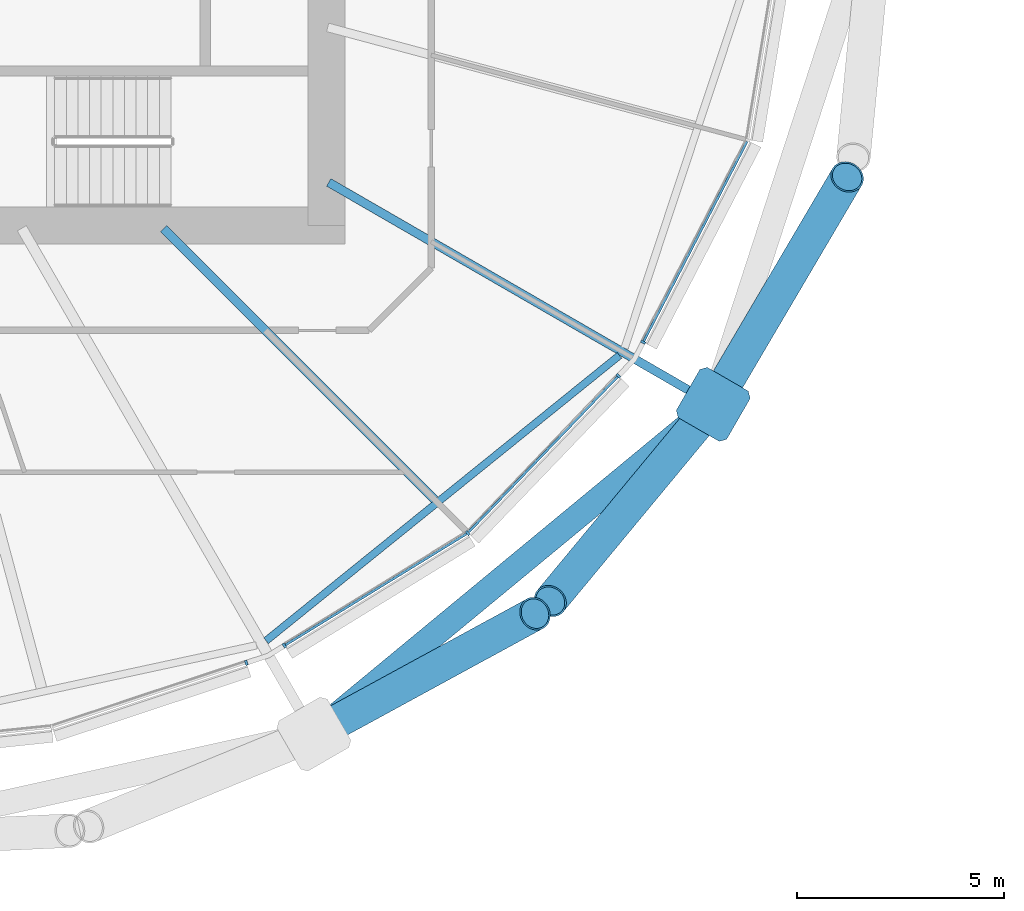
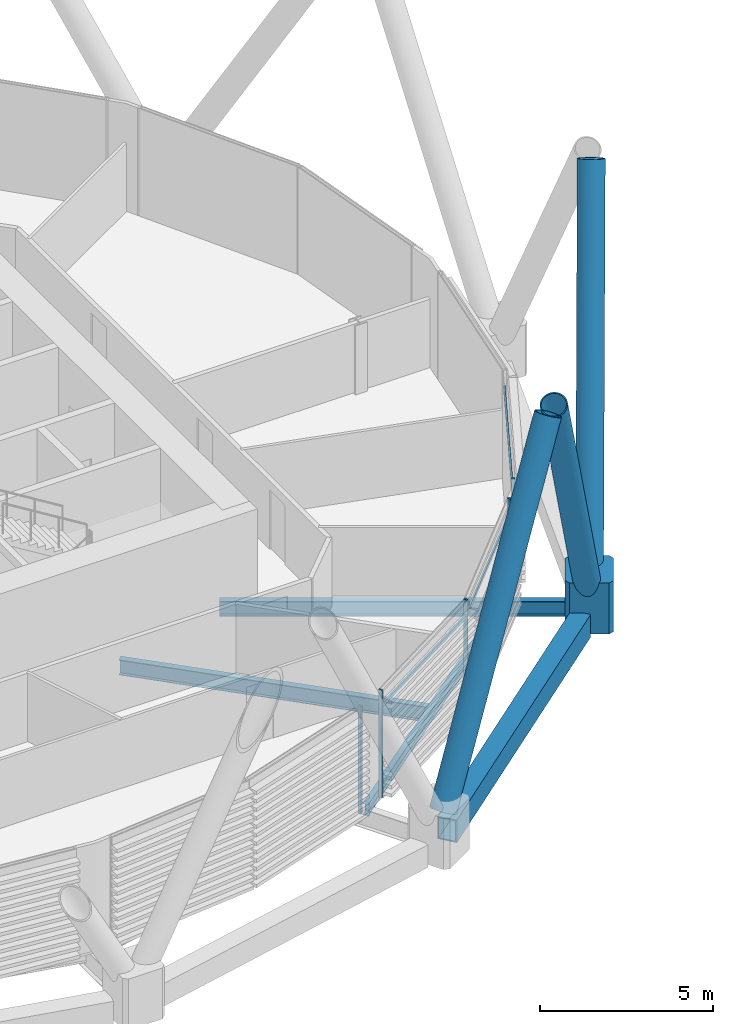
# One storey, part 7 of 40: 12 members, 4 beams, 1 element without a shape of its own.
"""IFC4 building model written with IfcOpenShell, lengths in metres."""

from ifc_helpers import new_model, si_unit, direction, frame, origin, origin_2d, place, context, subcontext, project, spatial, polyline, rectangle, hollow_rectangle, hollow_circle, i_section, outline, extrude, material, material_profile, profile_set, type_object, element, aggregate, save


model = new_model("IFC4")

# Units and contexts
model_context = context("Model", 3, precision=1e-05, world=origin(), true_north=direction((0.0, 1.0)))
body_context = subcontext(model_context, "Body", "Model", "MODEL_VIEW")
ifc_project = project(units=[si_unit("LENGTHUNIT", "METRE"), si_unit("AREAUNIT", "SQUARE_METRE"), si_unit("VOLUMEUNIT", "CUBIC_METRE"), si_unit("PLANEANGLEUNIT", "RADIAN"), si_unit("MASSUNIT", "GRAM", prefix="KILO")], contexts=[model_context])

# Site, building, storey
site_placement = place(None, origin())
site = spatial("IfcSite", under=ifc_project, at=site_placement, CompositionType="ELEMENT")
building_placement = place(site_placement, origin())
building = spatial("IfcBuilding", under=site, at=building_placement, Name="Rimbun Link Towers", CompositionType="ELEMENT")
storey_placement = place(building_placement, frame((0.0, 0.0, 52.800048828125)))
storey = spatial("IfcBuildingStorey", under=building, at=storey_placement, Name="L12", CompositionType="ELEMENT", Elevation=52.800048828125)

# Curtain wall, members
ifc_material_1 = material(Name="Aluminium 6063-T6 and low-iron glass", Category="aluminium")
curtain_wall_type = type_object("IfcCurtainWallType", Name="CW1 unitised vision wall", PredefinedType="NOTDEFINED", material=ifc_material_1)
curtain_wall_placement = place(storey_placement, origin())
curtain_wall = element("IfcCurtainWall", 1, at=curtain_wall_placement, inside=storey, type_object=curtain_wall_type, Name="CW1 L12 T1", PredefinedType="NOTDEFINED")
ifc_material_2 = material(Name="Aluminium 6063-T6", Category="aluminium")
ifc_material_profile_1 = material_profile(ifc_material_2, rectangle(XDim=0.1201171875, YDim=0.06005859375, at=origin_2d()), Name="MULLION 60X120")
ifc_profile_set_1 = profile_set([ifc_material_profile_1], Name="Aluminium 6063-T6")
member_type_1 = type_object("IfcMemberType", Name="CW1 mullion 60X120", PredefinedType="MULLION", material=ifc_profile_set_1)
member_1_placement = place(storey_placement, frame((-21.68212890625, -18.53955078125, 0.0), z_axis=(0.0, 0.0, 1.0), x_axis=(0.314563424855, -0.949236457235, 0.0)))
member_1 = element("IfcMember", 2, at=member_1_placement, type_object=member_type_1, Name="CW1 mullion", PredefinedType="MULLION", context=body_context, shape_type="SweptSolid", body=[
    extrude(rectangle(XDim=0.1201171875, YDim=0.06005859375, at=origin_2d()), origin(), (0.0, 0.0, 1.0), 3.800048828125),
])
member_2_placement = place(storey_placement, frame((-16.3466796875, -15.412353515625, 0.0), z_axis=(0.0, 0.0, 1.0), x_axis=(0.627665729285, -0.778482968524, 0.0)))
member_2 = element("IfcMember", 3, at=member_2_placement, type_object=member_type_1, Name="CW1 mullion", PredefinedType="MULLION", context=body_context, shape_type="SweptSolid", body=[
    extrude(rectangle(XDim=0.1201171875, YDim=0.06005859375, at=origin_2d()), origin(), (0.0, 0.0, 1.0), 3.800048828125),
])
member_3_placement = place(storey_placement, frame((-20.76416015625, -18.125244140625, 0.0), z_axis=(0.0, 0.0, 1.0), x_axis=(0.523243332621, -0.852183322336, 0.0)))
member_3 = element("IfcMember", 4, at=member_3_placement, type_object=member_type_1, Name="CW1 mullion", PredefinedType="MULLION", context=body_context, shape_type="SweptSolid", body=[
    extrude(rectangle(XDim=0.1201171875, YDim=0.06005859375, at=origin_2d()), origin(), (0.0, 0.0, 1.0), 3.800048828125),
])
member_4_placement = place(storey_placement, frame((-12.7138671875, -11.623779296875, 0.0), z_axis=(0.0, 0.0, 1.0), x_axis=(0.721834717261, -0.692065488922, 0.0)))
member_4 = element("IfcMember", 5, at=member_4_placement, type_object=member_type_1, Name="CW1 mullion", PredefinedType="MULLION", context=body_context, shape_type="SweptSolid", body=[
    extrude(rectangle(XDim=0.1201171875, YDim=0.06005859375, at=origin_2d()), origin(), (0.0, 0.0, 1.0), 3.800048828125),
])
member_5_placement = place(storey_placement, frame((-12.116455078125, -10.813232421875, 0.0), z_axis=(0.0, 0.0, 1.0), x_axis=(0.888156623203, -0.459540871589, 0.0)))
member_5 = element("IfcMember", 6, at=member_5_placement, type_object=member_type_1, Name="CW1 mullion", PredefinedType="MULLION", context=body_context, shape_type="SweptSolid", body=[
    extrude(rectangle(XDim=0.1201171875, YDim=0.06005859375, at=origin_2d()), origin(), (0.0, 0.0, 1.0), 3.800048828125),
])
ifc_material_3 = material(Name="Aluminium 6063-T6", Category="aluminium")
ifc_material_profile_2 = material_profile(ifc_material_3, rectangle(XDim=0.06005859375, YDim=0.1201171875, at=origin_2d()), Name="TRANSOM 60X120")
ifc_profile_set_2 = profile_set([ifc_material_profile_2], Name="Aluminium 6063-T6")
member_type_2 = type_object("IfcMemberType", Name="CW1 transom 60X120", PredefinedType="USERDEFINED", material=ifc_profile_set_2)
member_6_placement = place(storey_placement, frame((-16.379638671875, -15.4306640625, 3.199951171875), z_axis=(-0.85218055836, -0.52324783416, 0.0), x_axis=(0.52324783416, -0.85218055836, 0.0)))
member_6 = element("IfcMember", 7, at=member_6_placement, type_object=member_type_2, Name="CW1 transom", ObjectType="TRANSOM", PredefinedType="USERDEFINED", context=body_context, shape_type="SweptSolid", body=[
    extrude(rectangle(XDim=0.06005859375, YDim=0.1201171875, at=origin_2d()), origin(), (0.0, 0.0, 1.0), 5.1162109375),
])
member_7_placement = place(storey_placement, frame((-12.736083984375, -11.64404296875, 3.199951171875), z_axis=(-0.692059885815, -0.721840089249, 0.0), x_axis=(0.721840089249, -0.692059885815, 0.0)))
member_7 = element("IfcMember", 8, at=member_7_placement, type_object=member_type_2, Name="CW1 transom", ObjectType="TRANSOM", PredefinedType="USERDEFINED", context=body_context, shape_type="SweptSolid", body=[
    extrude(rectangle(XDim=0.06005859375, YDim=0.1201171875, at=origin_2d()), origin(), (0.0, 0.0, 1.0), 5.18115234375),
])
member_8_placement = place(storey_placement, frame((-9.614990234375, -5.974365234375, 3.199951171875), z_axis=(-0.459555326558, -0.888149143912, 0.0), x_axis=(0.888149143912, -0.459555326558, 0.0)))
member_8 = element("IfcMember", 9, at=member_8_placement, type_object=member_type_2, Name="CW1 transom", ObjectType="TRANSOM", PredefinedType="USERDEFINED", context=body_context, shape_type="SweptSolid", body=[
    extrude(rectangle(XDim=0.06005859375, YDim=0.1201171875, at=origin_2d()), origin(), (0.0, 0.0, 1.0), 5.417236328125),
])
aggregate(curtain_wall, [member_1, member_2, member_3, member_4, member_5, member_6, member_7, member_8])

# Members
ifc_material_4 = material(Name="Steel S460NH", Category="steel")
ifc_material_profile_3 = material_profile(ifc_material_4, hollow_circle(Radius=0.406494140625, WallThickness=0.0400390625, at=origin_2d()), Name="Diagrid diagonal CHS 813x40")
ifc_profile_set_3 = profile_set([ifc_material_profile_3], Name="Steel S460NH")
member_type_3 = type_object("IfcMemberType", Name="Diagrid diagonal CHS 813x40", PredefinedType="BRACE", material=ifc_profile_set_3)
member_9_placement = place(storey_placement, frame((-19.84130859375, -20.14208984375, 0.437255859375), z_axis=(0.425340572748, 0.231705088723, 0.874870361273), x_axis=(-0.478376519541, 0.878154830057, 0.0)))
element("IfcMember", 10, at=member_9_placement, inside=storey, type_object=member_type_3, Name="Diagrid diagonal T1 L12-L15 20b", PredefinedType="BRACE", context=body_context, shape_type="SweptSolid", body=[
    extrude(hollow_circle(Radius=0.406494140625, WallThickness=0.0400390625, at=origin_2d()), origin(), (0.0, 0.0, 1.0), 12.03076171875),
])
member_10_placement = place(storey_placement, frame((-10.584228515625, -12.498779296875, 0.43603515625), z_axis=(-0.312336279633, -0.376963157123, 0.871977537897), x_axis=(0.770026199312, -0.638012266633, 0.0)))
element("IfcMember", 11, at=member_10_placement, inside=storey, type_object=member_type_3, Name="Diagrid diagonal T1 L12-L15 22a", PredefinedType="BRACE", context=body_context, shape_type="SweptSolid", body=[
    extrude(hollow_circle(Radius=0.406494140625, WallThickness=0.0400390625, at=origin_2d()), origin(), (0.0, 0.0, 1.0), 12.073486328125),
])
member_11_placement = place(storey_placement, frame((-10.30078125, -12.093994140625, 0.432373046875), z_axis=(0.254505768559, 0.43237515139, 0.865030948713), x_axis=(-0.861788328519, 0.507268052245, 0.0)))
element("IfcMember", 12, at=member_11_placement, inside=storey, type_object=member_type_3, Name="Diagrid diagonal T1 L12-L15 22b", PredefinedType="BRACE", context=body_context, shape_type="SweptSolid", body=[
    extrude(hollow_circle(Radius=0.406494140625, WallThickness=0.0400390625, at=origin_2d()), origin(), (0.0, 0.0, 1.0), 12.178955078125),
])
ifc_material_5 = material(Name="Cast steel G20Mn5+QT, Rp0.2 300 MPa", Category="steel")
ifc_material_profile_4 = material_profile(ifc_material_5, outline(polyline([(0.699951171875, -0.570068359375), (0.699951171875, 0.570068359375), (0.570068359375, 0.699951171875), (-0.570068359375, 0.699951171875), (-0.699951171875, 0.570068359375), (-0.699951171875, -0.570068359375), (-0.570068359375, -0.699951171875), (0.570068359375, -0.699951171875), (0.699951171875, -0.570068359375)])), Name="NODE 1400x1400")
ifc_profile_set_4 = profile_set([ifc_material_profile_4], Name="Cast steel G20Mn5+QT, Rp0.2 300 MPa")
member_type_4 = type_object("IfcMemberType", Name="Diagrid node cast 1400", PredefinedType="USERDEFINED", material=ifc_profile_set_4)
member_12_placement = place(storey_placement, frame((-10.427978515625, -12.310302734375, -0.900146484375), z_axis=(0.0, 0.0, 1.0), x_axis=(0.866025403784, -0.5, 0.0)))
element("IfcMember", 13, at=member_12_placement, inside=storey, type_object=member_type_4, Name="Diagrid node L12 22", ObjectType="Diagrid node", PredefinedType="USERDEFINED", context=body_context, shape_type="SweptSolid", body=[
    extrude(outline(polyline([(0.699951171875, -0.570068359375), (0.699951171875, 0.570068359375), (0.570068359375, 0.699951171875), (-0.570068359375, 0.699951171875), (-0.699951171875, 0.570068359375), (-0.699951171875, -0.570068359375), (-0.570068359375, -0.699951171875), (0.570068359375, -0.699951171875), (0.699951171875, -0.570068359375)])), origin(), (0.0, 0.0, 1.0), 1.800048828125),
])

# Beams
ifc_material_6 = material(Name="Steel S355J2", Category="steel")
ifc_material_profile_5 = material_profile(ifc_material_6, hollow_rectangle(XDim=0.60009765625, YDim=0.800048828125, WallThickness=0.0400390625, at=origin_2d()), Name="Exoskeleton ring girder BOX 600x800x40")
ifc_profile_set_5 = profile_set([ifc_material_profile_5], Name="Steel S355J2")
beam_type_1 = type_object("IfcBeamType", Name="Exoskeleton ring girder BOX 600x800x40", PredefinedType="BEAM", material=ifc_profile_set_5)
beam_1_placement = place(storey_placement, frame((-19.51416015625, -19.8125, -0.56005859375), z_axis=(0.771123969027, 0.636685027618, 0.0), x_axis=(-0.636685027618, 0.771123969027, 0.0)))
element("IfcBeam", 14, at=beam_1_placement, inside=storey, type_object=beam_type_1, Name="Exoskeleton ring girder L12 08", PredefinedType="BEAM", context=body_context, shape_type="SweptSolid", body=[
    extrude(hollow_rectangle(XDim=0.60009765625, YDim=0.800048828125, WallThickness=0.0400390625, at=origin_2d()), origin(), (0.0, 0.0, 1.0), 11.0830078125),
])
ifc_material_7 = material(Name="Steel S355J2", Category="steel")
ifc_material_profile_6 = material_profile(ifc_material_7, i_section(OverallWidth=0.177978515625, OverallDepth=0.406494140625, WebThickness=0.0078125, FlangeThickness=0.0126953125, at=origin_2d()), Name="UB 406x178x60")
ifc_profile_set_6 = profile_set([ifc_material_profile_6], Name="Steel S355J2")
beam_type_2 = type_object("IfcBeamType", Name="UB 406x178x60", PredefinedType="BEAM", material=ifc_profile_set_6)
beam_2_placement = place(storey_placement, frame((-21.2060546875, -18.007080078125, -0.36328125), z_axis=(0.777984774136, 0.628283129817, 0.0), x_axis=(-0.628283129817, 0.777984774136, 0.0)))
element("IfcBeam", 15, at=beam_2_placement, inside=storey, type_object=beam_type_2, Name="Edge beam T1 L12 20-22", PredefinedType="BEAM", context=body_context, shape_type="SweptSolid", body=[
    extrude(i_section(OverallWidth=0.177978515625, OverallDepth=0.406494140625, WebThickness=0.0078125, FlangeThickness=0.0126953125, at=origin_2d()), origin(), (0.0, 0.0, 1.0), 10.949462890625),
])
ifc_material_8 = material(Name="Steel S355J2", Category="steel")
ifc_material_profile_7 = material_profile(ifc_material_8, i_section(OverallWidth=0.209228515625, OverallDepth=0.533203125, WebThickness=0.010009765625, FlangeThickness=0.015625, at=origin_2d()), Name="UB 533x210x92")
ifc_profile_set_7 = profile_set([ifc_material_profile_7], Name="Steel S355J2")
beam_type_3 = type_object("IfcBeamType", Name="UB 533x210x92", PredefinedType="BEAM", material=ifc_profile_set_7)
beam_3_placement = place(storey_placement, frame((-23.67529296875, -8.07470703125, -0.4267578125), z_axis=(0.707106781187, -0.707106781187, 0.0), x_axis=(0.707106781187, 0.707106781187, 0.0)))
element("IfcBeam", 16, at=beam_3_placement, inside=storey, type_object=beam_type_3, Name="Radial beam T1 L12 21", PredefinedType="BEAM", context=body_context, shape_type="SweptSolid", body=[
    extrude(i_section(OverallWidth=0.209228515625, OverallDepth=0.533203125, WebThickness=0.010009765625, FlangeThickness=0.015625, at=origin_2d()), origin(), (0.0, 0.0, 1.0), 9.24072265625),
])
beam_4_placement = place(storey_placement, frame((-19.69677734375, -6.958984375, -0.4267578125), z_axis=(0.866024197602, -0.500002089163, 0.0), x_axis=(0.500002089163, 0.866024197602, 0.0)))
element("IfcBeam", 17, at=beam_4_placement, inside=storey, type_object=beam_type_3, Name="Radial beam T1 L12 22", PredefinedType="BEAM", context=body_context, shape_type="SweptSolid", body=[
    extrude(i_section(OverallWidth=0.209228515625, OverallDepth=0.533203125, WebThickness=0.010009765625, FlangeThickness=0.015625, at=origin_2d()), origin(), (0.0, 0.0, 1.0), 10.20263671875),
])

save(model, "model.ifc")
